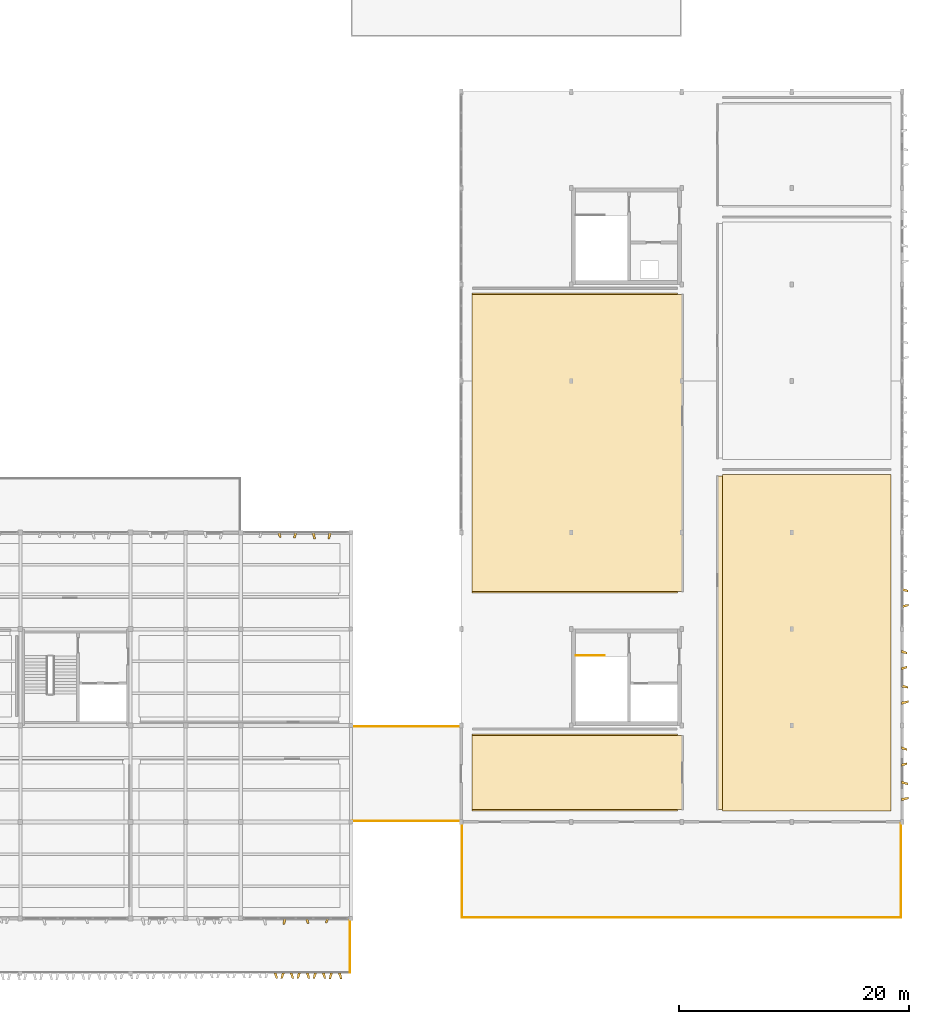
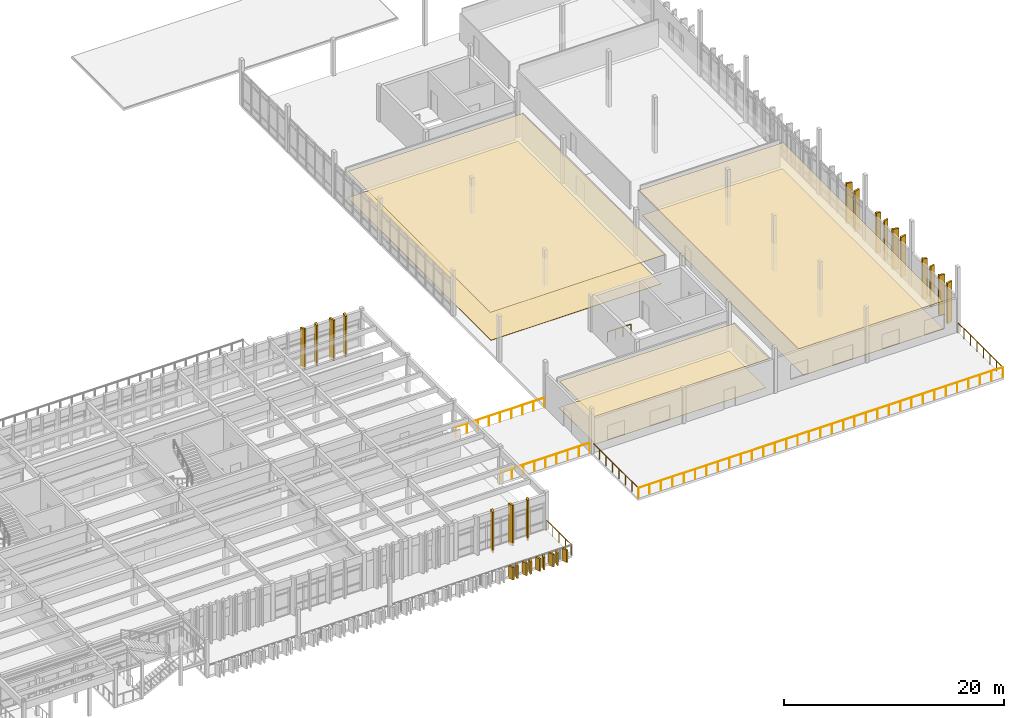
# One storey, part 60 of 61: 32 coverings, 7 railings.
"""IFC4 building model written with IfcOpenShell, lengths in metres."""

from ifc_helpers import new_model, si_unit, direction, frame, origin, origin_2d, place, context, subcontext, project, spatial, polyline, circle, outline, extrude, material, layer, layer_set, type_object, element, save


model = new_model("IFC4")

# Units and contexts
model_context = context("Model", 3, precision=1e-05, world=origin(), true_north=direction((0.0, 1.0)))
body_context = subcontext(model_context, "Body", "Model", "MODEL_VIEW")
ifc_project = project(units=[si_unit("LENGTHUNIT", "METRE"), si_unit("AREAUNIT", "SQUARE_METRE"), si_unit("VOLUMEUNIT", "CUBIC_METRE"), si_unit("PLANEANGLEUNIT", "RADIAN"), si_unit("MASSUNIT", "GRAM", prefix="KILO")], contexts=[model_context])

# Site, building, storey
site_placement = place(None, origin())
site = spatial("IfcSite", under=ifc_project, at=site_placement, CompositionType="ELEMENT")
building_placement = place(site_placement, origin())
building = spatial("IfcBuilding", under=site, at=building_placement, Name="Kolvemor Railside Polytechnic", CompositionType="ELEMENT")
storey_placement = place(building_placement, frame((0.0, 0.0, 10.199951171875)))
storey = spatial("IfcBuildingStorey", under=building, at=storey_placement, Name="L02", CompositionType="ELEMENT", Elevation=10.199951171875)

# Coverings
ifc_material_1 = material(Name="Perforated acoustic mineral-fibre and timber-slat ceiling", Category="wood")
ifc_layer_1 = layer(ifc_material_1, 0.030029296875, Name="COV-CEIL-2")
ifc_layer_set_1 = layer_set([ifc_layer_1], Name="Perforated acoustic mineral-fibre and timber-slat ceiling")
covering_type_1 = type_object("IfcCoveringType", Name="COV-CEIL-2", PredefinedType="CEILING", material=ifc_layer_set_1)
covering_1_placement = place(storey_placement, frame((0.0, 0.0, 3.0)))
element("IfcCovering", 1, at=covering_1_placement, inside=storey, type_object=covering_type_1, Name="Courtyard Dining Lounge Acoustic Ceiling", PredefinedType="CEILING", context=body_context, shape_type="SweptSolid", body=[
    extrude(outline(polyline([(144.949951171875, 14.280029296875), (163.280029296875, 14.280029296875), (163.280029296875, 20.719970703125), (144.949951171875, 20.719970703125), (144.949951171875, 14.280029296875)])), origin(), (0.0, 0.0, 1.0), 0.030029296875),
])
ifc_material_2 = material(Name="Perforated acoustic mineral-fibre and timber-slat ceiling", Category="wood")
ifc_layer_2 = layer(ifc_material_2, 0.034912109375, Name="COV-CEIL-3")
ifc_layer_set_2 = layer_set([ifc_layer_2], Name="Perforated acoustic mineral-fibre and timber-slat ceiling")
covering_type_2 = type_object("IfcCoveringType", Name="COV-CEIL-3", PredefinedType="CEILING", material=ifc_layer_set_2)
covering_2_placement = place(storey_placement, frame((0.0, 0.0, 2.9951171875)))
element("IfcCovering", 2, at=covering_2_placement, inside=storey, type_object=covering_type_2, Name="Student Union Quiet Study Hall Acoustic Ceiling", PredefinedType="CEILING", context=body_context, shape_type="SweptSolid", body=[
    extrude(outline(polyline([(144.949951171875, 33.280029296875), (163.280029296875, 33.280029296875), (163.280029296875, 59.1201171875), (144.949951171875, 59.1201171875), (144.949951171875, 33.280029296875)])), origin(), (0.0, 0.0, 1.0), 0.034912109375),
])
ifc_material_3 = material(Name="Perforated acoustic mineral-fibre and timber-slat ceiling", Category="wood")
ifc_layer_3 = layer(ifc_material_3, 0.0400390625, Name="COV-CEIL-4")
ifc_layer_set_3 = layer_set([ifc_layer_3], Name="Perforated acoustic mineral-fibre and timber-slat ceiling")
covering_type_3 = type_object("IfcCoveringType", Name="COV-CEIL-4", PredefinedType="CEILING", material=ifc_layer_set_3)
covering_3_placement = place(storey_placement, frame((0.0, 0.0, 2.989990234375)))
element("IfcCovering", 3, at=covering_3_placement, inside=storey, type_object=covering_type_3, Name="Seminar Room 205 Acoustic Ceiling", PredefinedType="CEILING", context=body_context, shape_type="SweptSolid", body=[
    extrude(outline(polyline([(166.320068359375, 14.280029296875), (181.449951171875, 14.280029296875), (181.449951171875, 43.320068359375), (166.320068359375, 43.320068359375), (166.320068359375, 14.280029296875)])), origin(), (0.0, 0.0, 1.0), 0.0400390625),
])
ifc_material_4 = material(Name="Champagne-bronze PVDF-anodised marine aluminium 5052-H32", Category="aluminium")
ifc_layer_4 = layer(ifc_material_4, 0.179931640625, Name="COV-FIN-CHAMP")
ifc_layer_set_4 = layer_set([ifc_layer_4], Name="Champagne-bronze PVDF-anodised marine aluminium 5052-H32")
covering_type_4 = type_object("IfcCoveringType", Name="COV-FIN-CHAMP", PredefinedType="CLADDING", material=ifc_layer_set_4)
covering_4_placement = place(storey_placement, frame((0.0, 0.0, -0.320068359375)))
element("IfcCovering", 4, at=covering_4_placement, inside=storey, type_object=covering_type_4, Name="Pleated Solar Fin L02-0369", PredefinedType="CLADDING", context=body_context, shape_type="SweptSolid", body=[
    extrude(outline(polyline([(128.56005859375, 4.8349609375), (128.7900390625, 4.8349609375), (128.614990234375, 4.26904296875), (128.455078125, 4.26904296875), (128.56005859375, 4.8349609375)])), origin(), (0.0, 0.0, 1.0), 4.52001953125),
])
covering_5_placement = place(storey_placement, frame((0.0, 0.0, -0.320068359375)))
element("IfcCovering", 5, at=covering_5_placement, inside=storey, type_object=covering_type_4, Name="Pleated Solar Fin L02-0370", PredefinedType="CLADDING", context=body_context, shape_type="SweptSolid", body=[
    extrude(outline(polyline([(130.409912109375, 4.8349609375), (130.639892578125, 4.8349609375), (130.7451171875, 4.361083984375), (130.5849609375, 4.361083984375), (130.409912109375, 4.8349609375)])), origin(), (0.0, 0.0, 1.0), 4.52001953125),
])
covering_6_placement = place(storey_placement, frame((0.0, 0.0, -0.320068359375)))
element("IfcCovering", 6, at=covering_6_placement, inside=storey, type_object=covering_type_4, Name="Pleated Solar Fin L02-0371", PredefinedType="CLADDING", context=body_context, shape_type="SweptSolid", body=[
    extrude(outline(polyline([(132.260009765625, 4.8349609375), (132.489990234375, 4.8349609375), (132.31494140625, 4.39306640625), (132.155029296875, 4.39306640625), (132.260009765625, 4.8349609375)])), origin(), (0.0, 0.0, 1.0), 4.52001953125),
])
covering_7_placement = place(storey_placement, frame((0.0, 0.0, -0.239990234375)))
element("IfcCovering", 7, at=covering_7_placement, inside=storey, type_object=covering_type_4, Name="Pleated Solar Fin L02-0801", PredefinedType="CLADDING", context=body_context, shape_type="SweptSolid", body=[
    extrude(outline(polyline([(127.68505859375, 0.034912109375), (127.9150390625, 0.034912109375), (128.02001953125, -0.4140625), (127.860107421875, -0.4140625), (127.68505859375, 0.034912109375)])), origin(), (0.0, 0.0, 1.0), 1.39013671875),
])
covering_8_placement = place(storey_placement, frame((0.0, 0.0, -0.239990234375)))
element("IfcCovering", 8, at=covering_8_placement, inside=storey, type_object=covering_type_4, Name="Pleated Solar Fin L02-0802", PredefinedType="CLADDING", context=body_context, shape_type="SweptSolid", body=[
    extrude(outline(polyline([(128.385009765625, 0.034912109375), (128.614990234375, 0.034912109375), (128.43994140625, -0.4189453125), (128.280029296875, -0.4189453125), (128.385009765625, 0.034912109375)])), origin(), (0.0, 0.0, 1.0), 1.39013671875),
])
covering_9_placement = place(storey_placement, frame((0.0, 0.0, -0.239990234375)))
element("IfcCovering", 9, at=covering_9_placement, inside=storey, type_object=covering_type_4, Name="Pleated Solar Fin L02-0803", PredefinedType="CLADDING", context=body_context, shape_type="SweptSolid", body=[
    extrude(outline(polyline([(129.0849609375, 0.034912109375), (129.31494140625, 0.034912109375), (129.419921875, -0.425048828125), (129.260009765625, -0.425048828125), (129.0849609375, 0.034912109375)])), origin(), (0.0, 0.0, 1.0), 1.39013671875),
])
covering_10_placement = place(storey_placement, frame((0.0, 0.0, -0.239990234375)))
element("IfcCovering", 10, at=covering_10_placement, inside=storey, type_object=covering_type_4, Name="Pleated Solar Fin L02-0804", PredefinedType="CLADDING", context=body_context, shape_type="SweptSolid", body=[
    extrude(outline(polyline([(129.784912109375, 0.034912109375), (130.014892578125, 0.034912109375), (129.840087890625, -0.430908203125), (129.679931640625, -0.430908203125), (129.784912109375, 0.034912109375)])), origin(), (0.0, 0.0, 1.0), 1.39013671875),
])
covering_11_placement = place(storey_placement, frame((0.0, 0.0, -0.239990234375)))
element("IfcCovering", 11, at=covering_11_placement, inside=storey, type_object=covering_type_4, Name="Pleated Solar Fin L02-0805", PredefinedType="CLADDING", context=body_context, shape_type="SweptSolid", body=[
    extrude(outline(polyline([(130.485107421875, 0.034912109375), (130.715087890625, 0.034912109375), (130.820068359375, -0.43798828125), (130.659912109375, -0.43798828125), (130.485107421875, 0.034912109375)])), origin(), (0.0, 0.0, 1.0), 1.39013671875),
])
covering_12_placement = place(storey_placement, frame((0.0, 0.0, -0.239990234375)))
element("IfcCovering", 12, at=covering_12_placement, inside=storey, type_object=covering_type_4, Name="Pleated Solar Fin L02-0806", PredefinedType="CLADDING", context=body_context, shape_type="SweptSolid", body=[
    extrude(outline(polyline([(131.18505859375, 0.034912109375), (131.4150390625, 0.034912109375), (131.239990234375, -0.446044921875), (131.080078125, -0.446044921875), (131.18505859375, 0.034912109375)])), origin(), (0.0, 0.0, 1.0), 1.39013671875),
])
covering_13_placement = place(storey_placement, frame((0.0, 0.0, -0.239990234375)))
element("IfcCovering", 13, at=covering_13_placement, inside=storey, type_object=covering_type_4, Name="Pleated Solar Fin L02-0807", PredefinedType="CLADDING", context=body_context, shape_type="SweptSolid", body=[
    extrude(outline(polyline([(131.885009765625, 0.034912109375), (132.114990234375, 0.034912109375), (132.219970703125, -0.4541015625), (132.06005859375, -0.4541015625), (131.885009765625, 0.034912109375)])), origin(), (0.0, 0.0, 1.0), 1.39013671875),
])
covering_14_placement = place(storey_placement, frame((0.0, 0.0, -0.239990234375)))
element("IfcCovering", 14, at=covering_14_placement, inside=storey, type_object=covering_type_4, Name="Pleated Solar Fin L02-0808", PredefinedType="CLADDING", context=body_context, shape_type="SweptSolid", body=[
    extrude(outline(polyline([(132.5849609375, 0.034912109375), (132.81494140625, 0.034912109375), (132.639892578125, -0.462890625), (132.47998046875, -0.462890625), (132.5849609375, 0.034912109375)])), origin(), (0.0, 0.0, 1.0), 1.39013671875),
])
covering_15_placement = place(storey_placement, frame((0.0, 0.0, -0.239990234375)))
element("IfcCovering", 15, at=covering_15_placement, inside=storey, type_object=covering_type_4, Name="Pleated Solar Fin L02-0809", PredefinedType="CLADDING", context=body_context, shape_type="SweptSolid", body=[
    extrude(outline(polyline([(133.284912109375, 0.034912109375), (133.514892578125, 0.034912109375), (133.6201171875, -0.471923828125), (133.4599609375, -0.471923828125), (133.284912109375, 0.034912109375)])), origin(), (0.0, 0.0, 1.0), 1.39013671875),
])
ifc_material_5 = material(Name="Sea-mist PVDF-anodised marine aluminium 5052-H32", Category="aluminium")
ifc_layer_5 = layer(ifc_material_5, 0.159912109375, Name="COV-FIN-MIST")
ifc_layer_set_5 = layer_set([ifc_layer_5], Name="Sea-mist PVDF-anodised marine aluminium 5052-H32")
covering_type_5 = type_object("IfcCoveringType", Name="COV-FIN-MIST", PredefinedType="CLADDING", material=ifc_layer_set_5)
covering_16_placement = place(storey_placement, frame((0.0, 0.0, -0.280029296875)))
element("IfcCovering", 16, at=covering_16_placement, inside=storey, type_object=covering_type_5, Name="Pleated Solar Fin L02-0093", PredefinedType="CLADDING", context=body_context, shape_type="SweptSolid", body=[
    extrude(outline(polyline([(182.364990234375, 15.034912109375), (182.364990234375, 15.264892578125), (182.964111328125, 15.3701171875), (182.964111328125, 15.2099609375), (182.364990234375, 15.034912109375)])), origin(), (0.0, 0.0, 1.0), 4.47998046875),
])
covering_17_placement = place(storey_placement, frame((0.0, 0.0, -0.280029296875)))
element("IfcCovering", 17, at=covering_17_placement, inside=storey, type_object=covering_type_5, Name="Pleated Solar Fin L02-0094", PredefinedType="CLADDING", context=body_context, shape_type="SweptSolid", body=[
    extrude(outline(polyline([(182.364990234375, 16.534912109375), (182.364990234375, 16.764892578125), (182.927978515625, 16.590087890625), (182.927978515625, 16.429931640625), (182.364990234375, 16.534912109375)])), origin(), (0.0, 0.0, 1.0), 4.47998046875),
])
covering_18_placement = place(storey_placement, frame((0.0, 0.0, -0.280029296875)))
element("IfcCovering", 18, at=covering_18_placement, inside=storey, type_object=covering_type_5, Name="Pleated Solar Fin L02-0095", PredefinedType="CLADDING", context=body_context, shape_type="SweptSolid", body=[
    extrude(outline(polyline([(182.364990234375, 18.034912109375), (182.364990234375, 18.264892578125), (182.842041015625, 18.3701171875), (182.842041015625, 18.2099609375), (182.364990234375, 18.034912109375)])), origin(), (0.0, 0.0, 1.0), 4.47998046875),
])
covering_19_placement = place(storey_placement, frame((0.0, 0.0, -0.280029296875)))
element("IfcCovering", 19, at=covering_19_placement, inside=storey, type_object=covering_type_5, Name="Pleated Solar Fin L02-0096", PredefinedType="CLADDING", context=body_context, shape_type="SweptSolid", body=[
    extrude(outline(polyline([(182.364990234375, 19.534912109375), (182.364990234375, 19.764892578125), (182.805908203125, 19.590087890625), (182.805908203125, 19.429931640625), (182.364990234375, 19.534912109375)])), origin(), (0.0, 0.0, 1.0), 4.47998046875),
])
covering_20_placement = place(storey_placement, frame((0.0, 0.0, -0.280029296875)))
element("IfcCovering", 20, at=covering_20_placement, inside=storey, type_object=covering_type_5, Name="Pleated Solar Fin L02-0118", PredefinedType="CLADDING", context=body_context, shape_type="SweptSolid", body=[
    extrude(outline(polyline([(182.364990234375, 23.43505859375), (182.364990234375, 23.6650390625), (182.964111328125, 23.77001953125), (182.964111328125, 23.610107421875), (182.364990234375, 23.43505859375)])), origin(), (0.0, 0.0, 1.0), 4.47998046875),
])
covering_21_placement = place(storey_placement, frame((0.0, 0.0, -0.280029296875)))
element("IfcCovering", 21, at=covering_21_placement, inside=storey, type_object=covering_type_5, Name="Pleated Solar Fin L02-0119", PredefinedType="CLADDING", context=body_context, shape_type="SweptSolid", body=[
    extrude(outline(polyline([(182.364990234375, 24.93505859375), (182.364990234375, 25.1650390625), (182.927978515625, 24.989990234375), (182.927978515625, 24.830078125), (182.364990234375, 24.93505859375)])), origin(), (0.0, 0.0, 1.0), 4.47998046875),
])
covering_22_placement = place(storey_placement, frame((0.0, 0.0, -0.280029296875)))
element("IfcCovering", 22, at=covering_22_placement, inside=storey, type_object=covering_type_5, Name="Pleated Solar Fin L02-0120", PredefinedType="CLADDING", context=body_context, shape_type="SweptSolid", body=[
    extrude(outline(polyline([(182.364990234375, 26.43505859375), (182.364990234375, 26.6650390625), (182.842041015625, 26.77001953125), (182.842041015625, 26.610107421875), (182.364990234375, 26.43505859375)])), origin(), (0.0, 0.0, 1.0), 4.47998046875),
])
covering_23_placement = place(storey_placement, frame((0.0, 0.0, -0.280029296875)))
element("IfcCovering", 23, at=covering_23_placement, inside=storey, type_object=covering_type_5, Name="Pleated Solar Fin L02-0121", PredefinedType="CLADDING", context=body_context, shape_type="SweptSolid", body=[
    extrude(outline(polyline([(182.364990234375, 27.93505859375), (182.364990234375, 28.1650390625), (182.805908203125, 27.989990234375), (182.805908203125, 27.830078125), (182.364990234375, 27.93505859375)])), origin(), (0.0, 0.0, 1.0), 4.47998046875),
])
covering_24_placement = place(storey_placement, frame((0.0, 0.0, -0.280029296875)))
element("IfcCovering", 24, at=covering_24_placement, inside=storey, type_object=covering_type_5, Name="Pleated Solar Fin L02-0143", PredefinedType="CLADDING", context=body_context, shape_type="SweptSolid", body=[
    extrude(outline(polyline([(182.364990234375, 31.8349609375), (182.364990234375, 32.06494140625), (182.964111328125, 32.169921875), (182.964111328125, 32.010009765625), (182.364990234375, 31.8349609375)])), origin(), (0.0, 0.0, 1.0), 4.47998046875),
])
covering_25_placement = place(storey_placement, frame((0.0, 0.0, -0.280029296875)))
element("IfcCovering", 25, at=covering_25_placement, inside=storey, type_object=covering_type_5, Name="Pleated Solar Fin L02-0144", PredefinedType="CLADDING", context=body_context, shape_type="SweptSolid", body=[
    extrude(outline(polyline([(182.364990234375, 33.3349609375), (182.364990234375, 33.56494140625), (182.927978515625, 33.389892578125), (182.927978515625, 33.22998046875), (182.364990234375, 33.3349609375)])), origin(), (0.0, 0.0, 1.0), 4.47998046875),
])
covering_26_placement = place(storey_placement, frame((0.0, 0.0, -0.320068359375)))
element("IfcCovering", 26, at=covering_26_placement, inside=storey, type_object=covering_type_5, Name="Pleated Solar Fin L02-0523", PredefinedType="CLADDING", context=body_context, shape_type="SweptSolid", body=[
    extrude(outline(polyline([(132.715087890625, 38.43505859375), (132.485107421875, 38.43505859375), (132.3798828125, 37.841064453125), (132.5400390625, 37.841064453125), (132.715087890625, 38.43505859375)])), origin(), (0.0, 0.0, 1.0), 4.52001953125),
])
covering_27_placement = place(storey_placement, frame((0.0, 0.0, -0.320068359375)))
element("IfcCovering", 27, at=covering_27_placement, inside=storey, type_object=covering_type_5, Name="Pleated Solar Fin L02-0524", PredefinedType="CLADDING", context=body_context, shape_type="SweptSolid", body=[
    extrude(outline(polyline([(131.215087890625, 38.43505859375), (130.985107421875, 38.43505859375), (131.159912109375, 37.847900390625), (131.320068359375, 37.847900390625), (131.215087890625, 38.43505859375)])), origin(), (0.0, 0.0, 1.0), 4.52001953125),
])
covering_28_placement = place(storey_placement, frame((0.0, 0.0, -0.320068359375)))
element("IfcCovering", 28, at=covering_28_placement, inside=storey, type_object=covering_type_5, Name="Pleated Solar Fin L02-0525", PredefinedType="CLADDING", context=body_context, shape_type="SweptSolid", body=[
    extrude(outline(polyline([(129.715087890625, 38.43505859375), (129.485107421875, 38.43505859375), (129.3798828125, 37.9150390625), (129.5400390625, 37.9150390625), (129.715087890625, 38.43505859375)])), origin(), (0.0, 0.0, 1.0), 4.52001953125),
])
covering_29_placement = place(storey_placement, frame((0.0, 0.0, -0.320068359375)))
element("IfcCovering", 29, at=covering_29_placement, inside=storey, type_object=covering_type_5, Name="Pleated Solar Fin L02-0526", PredefinedType="CLADDING", context=body_context, shape_type="SweptSolid", body=[
    extrude(outline(polyline([(128.215087890625, 38.43505859375), (127.985107421875, 38.43505859375), (128.159912109375, 37.98193359375), (128.320068359375, 37.98193359375), (128.215087890625, 38.43505859375)])), origin(), (0.0, 0.0, 1.0), 4.52001953125),
])
ifc_material_6 = material(Name="Polished coral-aggregate terrazzo and laboratory epoxy flooring")
ifc_layer_6 = layer(ifc_material_6, 0.02490234375, Name="COV-FLR-2")
ifc_layer_set_6 = layer_set([ifc_layer_6], Name="Polished coral-aggregate terrazzo and laboratory epoxy flooring")
covering_type_6 = type_object("IfcCoveringType", Name="COV-FLR-2", PredefinedType="FLOORING", material=ifc_layer_set_6)
covering_30_placement = place(storey_placement, origin())
element("IfcCovering", 30, at=covering_30_placement, inside=storey, type_object=covering_type_6, Name="Courtyard Dining Lounge Floor Finish", PredefinedType="FLOORING", context=body_context, shape_type="SweptSolid", body=[
    extrude(outline(polyline([(144.949951171875, 14.14990234375), (162.85009765625, 14.14990234375), (162.85009765625, 20.85009765625), (144.949951171875, 20.85009765625), (144.949951171875, 14.14990234375)])), origin(), (0.0, 0.0, 1.0), 0.025146484375),
])
ifc_material_7 = material(Name="Polished coral-aggregate terrazzo and laboratory epoxy flooring")
ifc_layer_7 = layer(ifc_material_7, 0.030029296875, Name="COV-FLR-3")
ifc_layer_set_7 = layer_set([ifc_layer_7], Name="Polished coral-aggregate terrazzo and laboratory epoxy flooring")
covering_type_7 = type_object("IfcCoveringType", Name="COV-FLR-3", PredefinedType="FLOORING", material=ifc_layer_set_7)
covering_31_placement = place(storey_placement, origin())
element("IfcCovering", 31, at=covering_31_placement, inside=storey, type_object=covering_type_7, Name="Student Union Quiet Study Hall Floor Finish", PredefinedType="FLOORING", context=body_context, shape_type="SweptSolid", body=[
    extrude(outline(polyline([(144.949951171875, 33.14990234375), (162.85009765625, 33.14990234375), (162.85009765625, 59.25), (144.949951171875, 59.25), (144.949951171875, 33.14990234375)])), origin(), (0.0, 0.0, 1.0), 0.030029296875),
])
ifc_material_8 = material(Name="Polished coral-aggregate terrazzo and laboratory epoxy flooring")
ifc_layer_8 = layer(ifc_material_8, 0.034912109375, Name="COV-FLR-4")
ifc_layer_set_8 = layer_set([ifc_layer_8], Name="Polished coral-aggregate terrazzo and laboratory epoxy flooring")
covering_type_8 = type_object("IfcCoveringType", Name="COV-FLR-4", PredefinedType="FLOORING", material=ifc_layer_set_8)
covering_32_placement = place(storey_placement, origin())
element("IfcCovering", 32, at=covering_32_placement, inside=storey, type_object=covering_type_8, Name="Seminar Room 205 Floor Finish", PredefinedType="FLOORING", context=body_context, shape_type="SweptSolid", body=[
    extrude(outline(polyline([(166.75, 14.14990234375), (181.449951171875, 14.14990234375), (181.449951171875, 43.449951171875), (166.75, 43.449951171875), (166.75, 14.14990234375)])), origin(), (0.0, 0.0, 1.0), 0.03515625),
])

# Railings
ifc_material_9 = material(Name="AISI 316 marine stainless-steel balustrade guard", Category="steel")
railing_type = type_object("IfcRailingType", Name="RLG-GUARD-1120", PredefinedType="BALUSTRADE", material=ifc_material_9)
railing_1_placement = place(storey_placement, frame((134.320068359375, 0.080078125, 0.0)))
element("IfcRailing", 33, at=railing_1_placement, inside=storey, type_object=railing_type, Name="Shifted East Loggia Terrace L02 E Guard GR-009", PredefinedType="BALUSTRADE", context=body_context, shape_type="SweptSolid", body=[
    extrude(circle(Radius=0.02392578125, at=origin_2d()), frame((0.0, 0.054931640625, 1.09619140625), z_axis=(0.0, 1.0, 0.0), x_axis=(-1.0, 0.0, 0.0)), (0.0, 0.0, 1.0), 4.4697265625),
    extrude(circle(Radius=0.02099609375, at=origin_2d()), origin(), (0.0, 0.0, 1.0), 1.05712890625),
    extrude(circle(Radius=0.02099609375, at=origin_2d()), frame((0.0, 1.14501953125, 0.0)), (0.0, 0.0, 1.0), 1.05712890625),
    extrude(circle(Radius=0.02099609375, at=origin_2d()), frame((0.0, 2.2900390625, 0.0)), (0.0, 0.0, 1.0), 1.05712890625),
    extrude(circle(Radius=0.02099609375, at=origin_2d()), frame((0.0, 3.434814453125, 0.0)), (0.0, 0.0, 1.0), 1.05712890625),
    extrude(circle(Radius=0.02099609375, at=origin_2d()), frame((0.0, 4.579833984375, 0.0)), (0.0, 0.0, 1.0), 1.05712890625),
])
railing_2_placement = place(storey_placement, frame((134.5400390625, 13.280029296875, 0.0)))
element("IfcRailing", 34, at=railing_2_placement, inside=storey, type_object=railing_type, Name="Courtyard Dining Terrace L02 S Guard GR-060", PredefinedType="BALUSTRADE", context=body_context, shape_type="SweptSolid", body=[
    extrude(circle(Radius=0.02392578125, at=origin_2d()), frame((0.054931640625, 0.0, 1.09619140625), z_axis=(1.0, 0.0, 0.0), x_axis=(0.0, 1.0, 0.0)), (0.0, 0.0, 1.0), 9.2099609375),
    extrude(circle(Radius=0.02099609375, at=origin_2d()), origin(), (0.0, 0.0, 1.0), 1.05712890625),
    extrude(circle(Radius=0.02099609375, at=origin_2d()), frame((1.1650390625, 0.0, 0.0)), (0.0, 0.0, 1.0), 1.05712890625),
    extrude(circle(Radius=0.02099609375, at=origin_2d()), frame((2.330078125, 0.0, 0.0)), (0.0, 0.0, 1.0), 1.05712890625),
    extrude(circle(Radius=0.02099609375, at=origin_2d()), frame((3.4951171875, 0.0, 0.0)), (0.0, 0.0, 1.0), 1.05712890625),
    extrude(circle(Radius=0.02099609375, at=origin_2d()), frame((4.66015625, 0.0, 0.0)), (0.0, 0.0, 1.0), 1.05712890625),
    extrude(circle(Radius=0.02099609375, at=origin_2d()), frame((5.824951171875, 0.0, 0.0)), (0.0, 0.0, 1.0), 1.05712890625),
    extrude(circle(Radius=0.02099609375, at=origin_2d()), frame((6.989990234375, 0.0, 0.0)), (0.0, 0.0, 1.0), 1.05712890625),
    extrude(circle(Radius=0.02099609375, at=origin_2d()), frame((8.155029296875, 0.0, 0.0)), (0.0, 0.0, 1.0), 1.05712890625),
    extrude(circle(Radius=0.02099609375, at=origin_2d()), frame((9.320068359375, 0.0, 0.0)), (0.0, 0.0, 1.0), 1.05712890625),
])
railing_3_placement = place(storey_placement, frame((143.860107421875, 21.52001953125, 0.0)))
element("IfcRailing", 35, at=railing_3_placement, inside=storey, type_object=railing_type, Name="Courtyard Dining Terrace L02 N Guard GR-061", PredefinedType="BALUSTRADE", context=body_context, shape_type="SweptSolid", body=[
    extrude(circle(Radius=0.02392578125, at=origin_2d()), frame((-0.054931640625, 0.0, 1.09619140625), z_axis=(-1.0, 0.0, 0.0), x_axis=(0.0, -1.0, 0.0)), (0.0, 0.0, 1.0), 9.2099609375),
    extrude(circle(Radius=0.02099609375, at=origin_2d()), origin(), (0.0, 0.0, 1.0), 1.05712890625),
    extrude(circle(Radius=0.02099609375, at=origin_2d()), frame((-1.1650390625, 0.0, 0.0)), (0.0, 0.0, 1.0), 1.05712890625),
    extrude(circle(Radius=0.02099609375, at=origin_2d()), frame((-2.330078125, 0.0, 0.0)), (0.0, 0.0, 1.0), 1.05712890625),
    extrude(circle(Radius=0.02099609375, at=origin_2d()), frame((-3.4951171875, 0.0, 0.0)), (0.0, 0.0, 1.0), 1.05712890625),
    extrude(circle(Radius=0.02099609375, at=origin_2d()), frame((-4.66015625, 0.0, 0.0)), (0.0, 0.0, 1.0), 1.05712890625),
    extrude(circle(Radius=0.02099609375, at=origin_2d()), frame((-5.824951171875, 0.0, 0.0)), (0.0, 0.0, 1.0), 1.05712890625),
    extrude(circle(Radius=0.02099609375, at=origin_2d()), frame((-6.989990234375, 0.0, 0.0)), (0.0, 0.0, 1.0), 1.05712890625),
    extrude(circle(Radius=0.02099609375, at=origin_2d()), frame((-8.155029296875, 0.0, 0.0)), (0.0, 0.0, 1.0), 1.05712890625),
    extrude(circle(Radius=0.02099609375, at=origin_2d()), frame((-9.320068359375, 0.0, 0.0)), (0.0, 0.0, 1.0), 1.05712890625),
])
railing_4_placement = place(storey_placement, frame((144.080078125, 4.8798828125, 0.0)))
element("IfcRailing", 36, at=railing_4_placement, inside=storey, type_object=railing_type, Name="Corner Study Terrace V4-S S Guard GR-062", PredefinedType="BALUSTRADE", context=body_context, shape_type="SweptSolid", body=[
    extrude(circle(Radius=0.02392578125, at=origin_2d()), frame((0.054931640625, 0.0, 1.09619140625), z_axis=(1.0, 0.0, 0.0), x_axis=(0.0, 1.0, 0.0)), (0.0, 0.0, 1.0), 38.1298828125),
    extrude(circle(Radius=0.02099609375, at=origin_2d()), origin(), (0.0, 0.0, 1.0), 1.05712890625),
    extrude(circle(Radius=0.02099609375, at=origin_2d()), frame((1.195068359375, 0.0, 0.0)), (0.0, 0.0, 1.0), 1.05712890625),
    extrude(circle(Radius=0.02099609375, at=origin_2d()), frame((2.389892578125, 0.0, 0.0)), (0.0, 0.0, 1.0), 1.05712890625),
    extrude(circle(Radius=0.02099609375, at=origin_2d()), frame((3.5849609375, 0.0, 0.0)), (0.0, 0.0, 1.0), 1.05712890625),
    extrude(circle(Radius=0.02099609375, at=origin_2d()), frame((4.780029296875, 0.0, 0.0)), (0.0, 0.0, 1.0), 1.05712890625),
    extrude(circle(Radius=0.02099609375, at=origin_2d()), frame((5.97509765625, 0.0, 0.0)), (0.0, 0.0, 1.0), 1.05712890625),
    extrude(circle(Radius=0.02099609375, at=origin_2d()), frame((7.169921875, 0.0, 0.0)), (0.0, 0.0, 1.0), 1.05712890625),
    extrude(circle(Radius=0.02099609375, at=origin_2d()), frame((8.364990234375, 0.0, 0.0)), (0.0, 0.0, 1.0), 1.05712890625),
    extrude(circle(Radius=0.02099609375, at=origin_2d()), frame((9.56005859375, 0.0, 0.0)), (0.0, 0.0, 1.0), 1.05712890625),
    extrude(circle(Radius=0.02099609375, at=origin_2d()), frame((10.7548828125, 0.0, 0.0)), (0.0, 0.0, 1.0), 1.05712890625),
    extrude(circle(Radius=0.02099609375, at=origin_2d()), frame((11.949951171875, 0.0, 0.0)), (0.0, 0.0, 1.0), 1.05712890625),
    extrude(circle(Radius=0.02099609375, at=origin_2d()), frame((13.14501953125, 0.0, 0.0)), (0.0, 0.0, 1.0), 1.05712890625),
    extrude(circle(Radius=0.02099609375, at=origin_2d()), frame((14.340087890625, 0.0, 0.0)), (0.0, 0.0, 1.0), 1.05712890625),
    extrude(circle(Radius=0.02099609375, at=origin_2d()), frame((15.534912109375, 0.0, 0.0)), (0.0, 0.0, 1.0), 1.05712890625),
    extrude(circle(Radius=0.02099609375, at=origin_2d()), frame((16.72998046875, 0.0, 0.0)), (0.0, 0.0, 1.0), 1.05712890625),
    extrude(circle(Radius=0.02099609375, at=origin_2d()), frame((17.925048828125, 0.0, 0.0)), (0.0, 0.0, 1.0), 1.05712890625),
    extrude(circle(Radius=0.02099609375, at=origin_2d()), frame((19.1201171875, 0.0, 0.0)), (0.0, 0.0, 1.0), 1.05712890625),
    extrude(circle(Radius=0.02099609375, at=origin_2d()), frame((20.31494140625, 0.0, 0.0)), (0.0, 0.0, 1.0), 1.05712890625),
    extrude(circle(Radius=0.02099609375, at=origin_2d()), frame((21.510009765625, 0.0, 0.0)), (0.0, 0.0, 1.0), 1.05712890625),
    extrude(circle(Radius=0.02099609375, at=origin_2d()), frame((22.705078125, 0.0, 0.0)), (0.0, 0.0, 1.0), 1.05712890625),
    extrude(circle(Radius=0.02099609375, at=origin_2d()), frame((23.89990234375, 0.0, 0.0)), (0.0, 0.0, 1.0), 1.05712890625),
    extrude(circle(Radius=0.02099609375, at=origin_2d()), frame((25.094970703125, 0.0, 0.0)), (0.0, 0.0, 1.0), 1.05712890625),
    extrude(circle(Radius=0.02099609375, at=origin_2d()), frame((26.2900390625, 0.0, 0.0)), (0.0, 0.0, 1.0), 1.05712890625),
    extrude(circle(Radius=0.02099609375, at=origin_2d()), frame((27.485107421875, 0.0, 0.0)), (0.0, 0.0, 1.0), 1.05712890625),
    extrude(circle(Radius=0.02099609375, at=origin_2d()), frame((28.679931640625, 0.0, 0.0)), (0.0, 0.0, 1.0), 1.05712890625),
    extrude(circle(Radius=0.02099609375, at=origin_2d()), frame((29.875, 0.0, 0.0)), (0.0, 0.0, 1.0), 1.05712890625),
    extrude(circle(Radius=0.02099609375, at=origin_2d()), frame((31.070068359375, 0.0, 0.0)), (0.0, 0.0, 1.0), 1.05712890625),
    extrude(circle(Radius=0.02099609375, at=origin_2d()), frame((32.264892578125, 0.0, 0.0)), (0.0, 0.0, 1.0), 1.05712890625),
    extrude(circle(Radius=0.02099609375, at=origin_2d()), frame((33.4599609375, 0.0, 0.0)), (0.0, 0.0, 1.0), 1.05712890625),
    extrude(circle(Radius=0.02099609375, at=origin_2d()), frame((34.655029296875, 0.0, 0.0)), (0.0, 0.0, 1.0), 1.05712890625),
    extrude(circle(Radius=0.02099609375, at=origin_2d()), frame((35.85009765625, 0.0, 0.0)), (0.0, 0.0, 1.0), 1.05712890625),
    extrude(circle(Radius=0.02099609375, at=origin_2d()), frame((37.044921875, 0.0, 0.0)), (0.0, 0.0, 1.0), 1.05712890625),
    extrude(circle(Radius=0.02099609375, at=origin_2d()), frame((38.239990234375, 0.0, 0.0)), (0.0, 0.0, 1.0), 1.05712890625),
])
railing_5_placement = place(storey_placement, frame((182.320068359375, 4.8798828125, 0.0)))
element("IfcRailing", 37, at=railing_5_placement, inside=storey, type_object=railing_type, Name="Corner Study Terrace V4-S E Guard GR-063", PredefinedType="BALUSTRADE", context=body_context, shape_type="SweptSolid", body=[
    extrude(circle(Radius=0.02392578125, at=origin_2d()), frame((0.0, 0.054931640625, 1.09619140625), z_axis=(0.0, 1.0, 0.0), x_axis=(-1.0, 0.0, 0.0)), (0.0, 0.0, 1.0), 8.070068359375),
    extrude(circle(Radius=0.02099609375, at=origin_2d()), origin(), (0.0, 0.0, 1.0), 1.05712890625),
    extrude(circle(Radius=0.02099609375, at=origin_2d()), frame((0.0, 1.168701171875, 0.0)), (0.0, 0.0, 1.0), 1.05712890625),
    extrude(circle(Radius=0.02099609375, at=origin_2d()), frame((0.0, 2.337158203125, 0.0)), (0.0, 0.0, 1.0), 1.05712890625),
    extrude(circle(Radius=0.02099609375, at=origin_2d()), frame((0.0, 3.505859375, 0.0)), (0.0, 0.0, 1.0), 1.05712890625),
    extrude(circle(Radius=0.02099609375, at=origin_2d()), frame((0.0, 4.67431640625, 0.0)), (0.0, 0.0, 1.0), 1.05712890625),
    extrude(circle(Radius=0.02099609375, at=origin_2d()), frame((0.0, 5.843017578125, 0.0)), (0.0, 0.0, 1.0), 1.05712890625),
    extrude(circle(Radius=0.02099609375, at=origin_2d()), frame((0.0, 7.011474609375, 0.0)), (0.0, 0.0, 1.0), 1.05712890625),
    extrude(circle(Radius=0.02099609375, at=origin_2d()), frame((0.0, 8.18017578125, 0.0)), (0.0, 0.0, 1.0), 1.05712890625),
])
railing_6_placement = place(storey_placement, frame((144.080078125, 13.06005859375, 0.0)))
element("IfcRailing", 38, at=railing_6_placement, inside=storey, type_object=railing_type, Name="Corner Study Terrace V4-S W Guard GR-064", PredefinedType="BALUSTRADE", context=body_context, shape_type="SweptSolid", body=[
    extrude(circle(Radius=0.02392578125, at=origin_2d()), frame((0.0, -0.054931640625, 1.09619140625), z_axis=(0.0, -1.0, 0.0), x_axis=(1.0, 0.0, 0.0)), (0.0, 0.0, 1.0), 8.070068359375),
    extrude(circle(Radius=0.02099609375, at=origin_2d()), origin(), (0.0, 0.0, 1.0), 1.05712890625),
    extrude(circle(Radius=0.02099609375, at=origin_2d()), frame((0.0, -1.168701171875, 0.0)), (0.0, 0.0, 1.0), 1.05712890625),
    extrude(circle(Radius=0.02099609375, at=origin_2d()), frame((0.0, -2.337158203125, 0.0)), (0.0, 0.0, 1.0), 1.05712890625),
    extrude(circle(Radius=0.02099609375, at=origin_2d()), frame((0.0, -3.505859375, 0.0)), (0.0, 0.0, 1.0), 1.05712890625),
    extrude(circle(Radius=0.02099609375, at=origin_2d()), frame((0.0, -4.67431640625, 0.0)), (0.0, 0.0, 1.0), 1.05712890625),
    extrude(circle(Radius=0.02099609375, at=origin_2d()), frame((0.0, -5.843017578125, 0.0)), (0.0, 0.0, 1.0), 1.05712890625),
    extrude(circle(Radius=0.02099609375, at=origin_2d()), frame((0.0, -7.011474609375, 0.0)), (0.0, 0.0, 1.0), 1.05712890625),
    extrude(circle(Radius=0.02099609375, at=origin_2d()), frame((0.0, -8.18017578125, 0.0)), (0.0, 0.0, 1.0), 1.05712890625),
])
railing_7_placement = place(storey_placement, frame((154.0, 27.679931640625, 0.0)))
element("IfcRailing", 39, at=railing_7_placement, inside=storey, type_object=railing_type, Name="ST-6 Top Well Guard L02", PredefinedType="BALUSTRADE", context=body_context, shape_type="SweptSolid", body=[
    extrude(circle(Radius=0.02392578125, at=origin_2d()), frame((0.054931640625, 0.0, 1.09619140625), z_axis=(1.0, 0.0, 0.0), x_axis=(0.0, 1.0, 0.0)), (0.0, 0.0, 1.0), 2.369873046875),
    extrude(circle(Radius=0.02099609375, at=origin_2d()), origin(), (0.0, 0.0, 1.0), 1.05712890625),
    extrude(circle(Radius=0.02099609375, at=origin_2d()), frame((0.82666015625, 0.0, 0.0)), (0.0, 0.0, 1.0), 1.05712890625),
    extrude(circle(Radius=0.02099609375, at=origin_2d()), frame((1.6533203125, 0.0, 0.0)), (0.0, 0.0, 1.0), 1.05712890625),
    extrude(circle(Radius=0.02099609375, at=origin_2d()), frame((2.47998046875, 0.0, 0.0)), (0.0, 0.0, 1.0), 1.05712890625),
])

save(model, "model.ifc")
